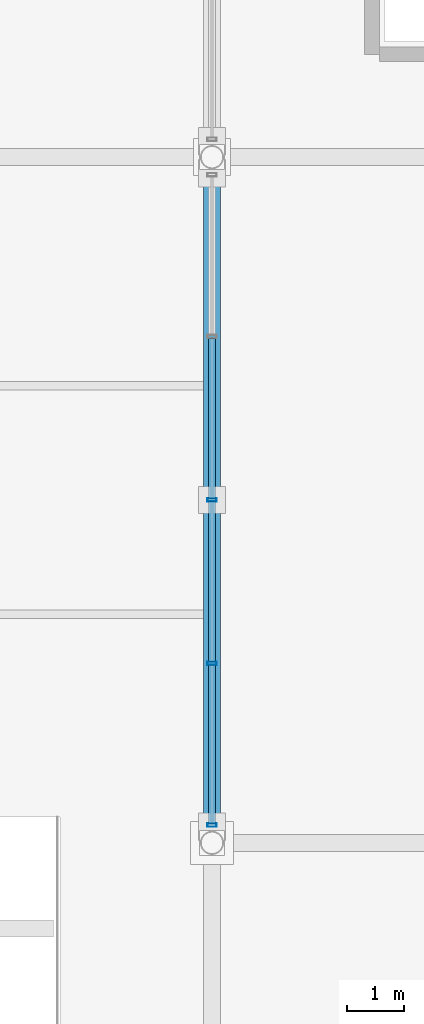
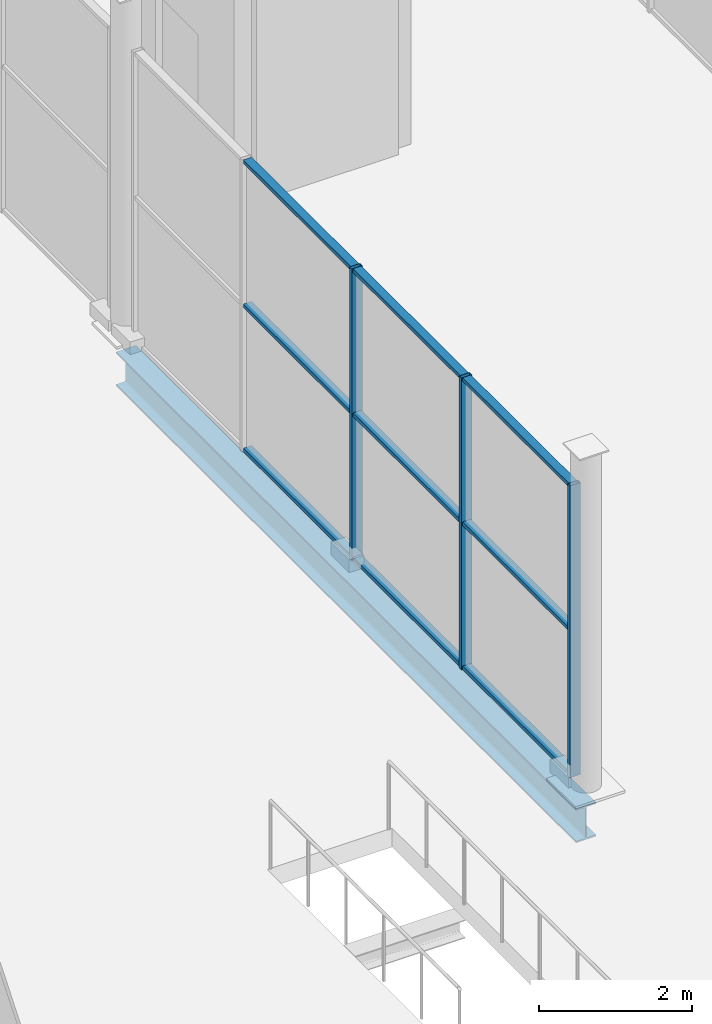
# One storey, part 114 of 196: 12 members, 1 beam, 1 element without a shape of its own.
"""IFC4 building model written with IfcOpenShell, lengths in metres."""

import ifcopenshell
import ifcopenshell.guid

model = None  # the IFC model being written
_history = None  # IfcOwnerHistory: only IFC2X3 demands one
_inside = {}  # id of a spatial element -> (the spatial element, [elements in it])
_under = {}  # id of a project, library or spatial element -> (it, [spatial elements below it])
_declared = {}  # id of a project -> (the project, [libraries it declares])
_typed = {}  # id of a type object -> (the type object, [elements of that type])
_made_of = {}  # id of a material, layer set ... -> (it, [elements and type objects made of it])


def new_model(schema):
    """Start an empty IFC model of exactly this schema.

    Asked for "IFC4X3", IfcOpenShell would pick the latest addendum, in which some entities
    have other attributes; the version numbers below select the first issue.
    IFC2X3 requires an IfcOwnerHistory on every rooted entity: one is made here for all.
    """
    global model, _history
    if schema == "IFC4X3":
        model = ifcopenshell.file(schema_version=(4, 3, 0, 0))
    else:
        model = ifcopenshell.file(schema=schema)
    _inside.clear()
    _under.clear()
    _declared.clear()
    _typed.clear()
    _made_of.clear()
    _history = None
    if model.schema == "IFC2X3":
        org = make("IfcOrganization", Name="unknown")
        user = make(
            "IfcPersonAndOrganization",
            ThePerson=make("IfcPerson", FamilyName="unknown"),
            TheOrganization=org,
        )
        app = make(
            "IfcApplication",
            ApplicationDeveloper=org,
            Version="unknown",
            ApplicationFullName="unknown",
            ApplicationIdentifier="unknown",
        )
        _history = make(
            "IfcOwnerHistory",
            OwningUser=user,
            OwningApplication=app,
            ChangeAction="ADDED",
            CreationDate=0,
        )
    return model


def make(cls, **values):
    """One entity of the class cls with the attributes given. An attribute that is None is left unset."""
    return model.create_entity(
        cls, **{name: value for name, value in values.items() if value is not None}
    )


def rooted(cls, **values):
    """An entity with a GlobalId (a new one), such as an element, a storey or a relation."""
    return make(cls, GlobalId=ifcopenshell.guid.new(), OwnerHistory=_history, **values)


def si_unit(unit_type, name, prefix=None):
    """IfcSIUnit, for example si_unit("LENGTHUNIT", "METRE", prefix="MILLI")."""
    return make("IfcSIUnit", UnitType=unit_type, Prefix=prefix, Name=name)


def assignment(units):
    """IfcUnitAssignment: the units of a project."""
    return None if units is None else make("IfcUnitAssignment", Units=units)


def point(xyz):
    """IfcCartesianPoint."""
    return None if xyz is None else make("IfcCartesianPoint", Coordinates=xyz)


def direction(xyz):
    """IfcDirection."""
    return None if xyz is None else make("IfcDirection", DirectionRatios=xyz)


def frame(location, z_axis=None, x_axis=None):
    """IfcAxis2Placement3D, a coordinate frame: its origin and axes. An axis left out is left unset."""
    return make(
        "IfcAxis2Placement3D",
        Location=point(location),
        Axis=direction(z_axis),
        RefDirection=direction(x_axis),
    )


def frame_2d(location, x_axis=None):
    """IfcAxis2Placement2D, a coordinate frame in the plane: its origin and x axis."""
    return make(
        "IfcAxis2Placement2D", Location=point(location), RefDirection=direction(x_axis)
    )


def origin():
    """The frame at (0, 0, 0) with its axes left unset."""
    return frame((0.0, 0.0, 0.0))


def origin_2d():
    """The frame at (0, 0) in the plane with its x axis left unset."""
    return frame_2d((0.0, 0.0))


def place(relative_to, where):
    """IfcLocalPlacement: puts the frame where relative to a parent placement (None: the world)."""
    return make(
        "IfcLocalPlacement", PlacementRelTo=relative_to, RelativePlacement=where
    )


def context(
    kind, dimensions, precision=None, world=None, true_north=None, identifier=None
):
    """IfcGeometricRepresentationContext, for example the 3D "Model" context."""
    return make(
        "IfcGeometricRepresentationContext",
        ContextIdentifier=identifier,
        ContextType=kind,
        CoordinateSpaceDimension=dimensions,
        Precision=precision,
        WorldCoordinateSystem=world,
        TrueNorth=true_north,
    )


def subcontext(parent, identifier, kind, view, scale=None):
    """IfcGeometricRepresentationSubContext, for example "Body" below "Model"."""
    return make(
        "IfcGeometricRepresentationSubContext",
        ContextIdentifier=identifier,
        ContextType=kind,
        ParentContext=parent,
        TargetScale=scale,
        TargetView=view,
    )


def project(units=None, contexts=None):
    """IfcProject with its units and contexts."""
    return rooted(
        "IfcProject",
        Name="project",
        RepresentationContexts=contexts,
        UnitsInContext=assignment(units),
    )


def spatial(cls, under=None, at=None, **own):
    """A site, building, storey or space (cls), placed at a placement, below another one or the project."""
    s = rooted(cls, ObjectPlacement=at, **own)
    if under is not None:
        _under.setdefault(under.id(), (under, []))[1].append(s)
    return s


def profile(cls, at=None, kind="AREA", **sizes):
    """A parametric profile (cls). Its sizes go by their IFC names, for example OverallWidth=200.0."""
    return make(cls, ProfileType=kind, Position=at, **sizes)


def hollow_rectangle(**sizes):
    """IfcRectangleHollowProfileDef."""
    return profile("IfcRectangleHollowProfileDef", **sizes)


def i_section(**sizes):
    """IfcIShapeProfileDef."""
    return profile("IfcIShapeProfileDef", **sizes)


def extrude(swept, where, along, depth):
    """IfcExtrudedAreaSolid: the profile swept, set in the frame where, extruded along a direction by depth."""
    return make(
        "IfcExtrudedAreaSolid",
        SweptArea=swept,
        Position=where,
        ExtrudedDirection=direction(along),
        Depth=depth,
    )


def shape(context_of_items, identifier, shape_type, items):
    """IfcShapeRepresentation: the items that make up one representation, for example the "Body"."""
    return make(
        "IfcShapeRepresentation",
        ContextOfItems=context_of_items,
        RepresentationIdentifier=identifier,
        RepresentationType=shape_type,
        Items=items,
    )


def material(Name=None, Category=None):
    """IfcMaterial."""
    return make("IfcMaterial", Name=Name, Category=Category)


def material_profile(
    of_material, cross_section, Name=None, Category=None, Priority=None
):
    """IfcMaterialProfile: a cross section and its material."""
    return make(
        "IfcMaterialProfile",
        Name=Name,
        Material=of_material,
        Profile=cross_section,
        Priority=Priority,
        Category=Category,
    )


def profile_set(profiles, Name=None, composite=None):
    """IfcMaterialProfileSet."""
    return make(
        "IfcMaterialProfileSet",
        Name=Name,
        MaterialProfiles=profiles,
        CompositeProfile=composite,
    )


def made_of(thing, what):
    """Note that an element or type object is made of a material, layer set ...; save() writes the relation."""
    if what is not None:
        _made_of.setdefault(what.id(), (what, []))[1].append(thing)
    return thing


def type_object(cls, material=None, **own):
    """A type object (cls), such as IfcWallType, which elements share."""
    return made_of(rooted(cls, **own), material)


def element(
    cls,
    number,
    at=None,
    inside=None,
    cuts=None,
    type_object=None,
    material=None,
    context=None,
    identifier="Body",
    shape_type=None,
    held_by="IfcProductDefinitionShape",
    body=None,
    shapes=None,
    **own,
):
    """One element of the class cls, such as IfcWall. Its Tag is "e" and its number.

    at: its placement. inside: the storey or other place that contains it. cuts: it is an
    opening in that element (IfcRelVoidsElement). A single representation is given by context,
    identifier, shape_type and body (its items); several are given by shapes. held_by: the class
    of the entity that holds the representations. save() writes the other relations.
    """
    e = rooted(cls, Tag="e%d" % number, ObjectPlacement=at, **own)
    if body is not None:
        shapes = [shape(context, identifier, shape_type, body)]
    if shapes is not None:
        e.Representation = make(held_by, Representations=shapes)
    if inside is not None:
        _inside.setdefault(inside.id(), (inside, []))[1].append(e)
    if cuts is not None:
        rooted(
            "IfcRelVoidsElement", RelatingBuildingElement=cuts, RelatedOpeningElement=e
        )
    if type_object is not None:
        _typed.setdefault(type_object.id(), (type_object, []))[1].append(e)
    return made_of(e, material)


def aggregate(whole, parts):
    """IfcRelAggregates: a whole, such as a stair, and the parts it consists of."""
    return rooted("IfcRelAggregates", RelatingObject=whole, RelatedObjects=parts)


def save(model, path):
    """Write the relations noted so far, then the file.

    IfcRelAggregates (storeys below a building ...), IfcRelContainedInSpatialStructure (elements
    in a storey), IfcRelDefinesByType, IfcRelAssociatesMaterial and IfcRelDeclares: one each for
    every whole, place, type object, material and project.
    """
    for whole, parts in _under.values():
        aggregate(whole, parts)
    for where, things in _inside.values():
        rooted(
            "IfcRelContainedInSpatialStructure",
            RelatedElements=things,
            RelatingStructure=where,
        )
    for kind, things in _typed.values():
        rooted("IfcRelDefinesByType", RelatedObjects=things, RelatingType=kind)
    for what, things in _made_of.values():
        rooted("IfcRelAssociatesMaterial", RelatedObjects=things, RelatingMaterial=what)
    for by, libraries in _declared.values():
        rooted("IfcRelDeclares", RelatingContext=by, RelatedDefinitions=libraries)
    model.write(path)


model = new_model("IFC4")

# Units and contexts
model_context = context("Model", 3, precision=1e-05, world=origin(), true_north=direction((0.0, 1.0)))
body_context = subcontext(model_context, "Body", "Model", "MODEL_VIEW")
ifc_project = project(units=[si_unit("LENGTHUNIT", "METRE"), si_unit("AREAUNIT", "SQUARE_METRE"), si_unit("VOLUMEUNIT", "CUBIC_METRE"), si_unit("PLANEANGLEUNIT", "RADIAN"), si_unit("MASSUNIT", "GRAM", prefix="KILO")], contexts=[model_context])

# Site, building, storey
site_placement = place(None, origin())
site = spatial("IfcSite", under=ifc_project, at=site_placement, CompositionType="ELEMENT")
building_placement = place(site_placement, origin())
building = spatial("IfcBuilding", under=site, at=building_placement, Name="Merenkruunu Market Hall", CompositionType="ELEMENT")
storey_placement = place(building_placement, origin())
storey = spatial("IfcBuildingStorey", under=building, at=storey_placement, Name="L00", CompositionType="ELEMENT", Elevation=0.0)

# Curtain wall, members
ifc_material_1 = material(Name="Powder-coated aluminium", Category="aluminium")
curtain_wall_type = type_object("IfcCurtainWallType", Name="Glazed Curtain Wall CW15", PredefinedType="USERDEFINED", material=ifc_material_1)
curtain_wall_placement = place(storey_placement, origin())
curtain_wall = element("IfcCurtainWall", 1, at=curtain_wall_placement, inside=storey, type_object=curtain_wall_type, Name="CW-L00-CWM01-174", ObjectType="GLAZED_FACADE", PredefinedType="USERDEFINED")
ifc_material_profile_1 = material_profile(ifc_material_1, hollow_rectangle(XDim=0.06005859375, YDim=0.159912109375, WallThickness=0.00390625, at=origin_2d()), Name="ALU 60x160x4")
ifc_profile_set_1 = profile_set([ifc_material_profile_1], Name="Powder-coated aluminium")
member_type_1 = type_object("IfcMemberType", Name="Curtain Wall Mullion CWM01", PredefinedType="MULLION", material=ifc_profile_set_1)
member_1_placement = place(storey_placement, frame((67.199951171875, 63.909912109375, 0.0), z_axis=(0.0, 0.0, 1.0), x_axis=(0.0, 1.0, 0.0)))
member_1 = element("IfcMember", 2, at=member_1_placement, type_object=member_type_1, Name="CW15 mullion 1", PredefinedType="MULLION", context=body_context, shape_type="SweptSolid", body=[
    extrude(hollow_rectangle(XDim=0.06005859375, YDim=0.159912109375, WallThickness=0.00390625, at=origin_2d()), origin(), (0.0, 0.0, 1.0), 4.64990234375),
])
member_2_placement = place(storey_placement, frame((67.199951171875, 66.739990234375, 0.0), z_axis=(0.0, 0.0, 1.0), x_axis=(0.0, 1.0, 0.0)))
member_2 = element("IfcMember", 3, at=member_2_placement, type_object=member_type_1, Name="CW15 mullion 2", PredefinedType="MULLION", context=body_context, shape_type="SweptSolid", body=[
    extrude(hollow_rectangle(XDim=0.06005859375, YDim=0.159912109375, WallThickness=0.00390625, at=origin_2d()), origin(), (0.0, 0.0, 1.0), 4.64990234375),
])
member_3_placement = place(storey_placement, frame((67.199951171875, 69.60009765625, 0.0), z_axis=(0.0, 0.0, 1.0), x_axis=(0.0, 1.0, 0.0)))
member_3 = element("IfcMember", 4, at=member_3_placement, type_object=member_type_1, Name="CW15 mullion 3", PredefinedType="MULLION", context=body_context, shape_type="SweptSolid", body=[
    extrude(hollow_rectangle(XDim=0.06005859375, YDim=0.159912109375, WallThickness=0.00390625, at=origin_2d()), origin(), (0.0, 0.0, 1.0), 4.64990234375),
])
ifc_material_profile_2 = material_profile(ifc_material_1, hollow_rectangle(XDim=0.06005859375, YDim=0.125, WallThickness=0.00390625, at=origin_2d()), Name="ALU 60x125x4")
ifc_profile_set_2 = profile_set([ifc_material_profile_2], Name="Powder-coated aluminium")
member_type_2 = type_object("IfcMemberType", Name="Curtain Wall Transom CWT01", PredefinedType="USERDEFINED", material=ifc_profile_set_2)
member_4_placement = place(storey_placement, frame((67.199951171875, 63.93994140625, 0.030029296875), z_axis=(0.0, 1.0, 0.0), x_axis=(0.0, 0.0, 1.0)))
member_4 = element("IfcMember", 5, at=member_4_placement, type_object=member_type_2, Name="CW15 transom 1.1", ObjectType="TRANSOM", PredefinedType="USERDEFINED", context=body_context, shape_type="SweptSolid", body=[
    extrude(hollow_rectangle(XDim=0.06005859375, YDim=0.125, WallThickness=0.00390625, at=origin_2d()), origin(), (0.0, 0.0, 1.0), 2.77001953125),
])
member_5_placement = place(storey_placement, frame((67.199951171875, 63.93994140625, 2.324951171875), z_axis=(0.0, 1.0, 0.0), x_axis=(0.0, 0.0, 1.0)))
member_5 = element("IfcMember", 6, at=member_5_placement, type_object=member_type_2, Name="CW15 transom 1.2", ObjectType="TRANSOM", PredefinedType="USERDEFINED", context=body_context, shape_type="SweptSolid", body=[
    extrude(hollow_rectangle(XDim=0.06005859375, YDim=0.125, WallThickness=0.00390625, at=origin_2d()), origin(), (0.0, 0.0, 1.0), 2.77001953125),
])
member_6_placement = place(storey_placement, frame((67.199951171875, 63.93994140625, 4.6201171875), z_axis=(0.0, 1.0, 0.0), x_axis=(0.0, 0.0, 1.0)))
member_6 = element("IfcMember", 7, at=member_6_placement, type_object=member_type_2, Name="CW15 transom 1.3", ObjectType="TRANSOM", PredefinedType="USERDEFINED", context=body_context, shape_type="SweptSolid", body=[
    extrude(hollow_rectangle(XDim=0.06005859375, YDim=0.125, WallThickness=0.00390625, at=origin_2d()), origin(), (0.0, 0.0, 1.0), 2.77001953125),
])
member_7_placement = place(storey_placement, frame((67.199951171875, 66.77001953125, 0.030029296875), z_axis=(0.0, 1.0, 0.0), x_axis=(0.0, 0.0, 1.0)))
member_7 = element("IfcMember", 8, at=member_7_placement, type_object=member_type_2, Name="CW15 transom 2.1", ObjectType="TRANSOM", PredefinedType="USERDEFINED", context=body_context, shape_type="SweptSolid", body=[
    extrude(hollow_rectangle(XDim=0.06005859375, YDim=0.125, WallThickness=0.00390625, at=origin_2d()), origin(), (0.0, 0.0, 1.0), 2.800048828125),
])
member_8_placement = place(storey_placement, frame((67.199951171875, 66.77001953125, 2.324951171875), z_axis=(0.0, 1.0, 0.0), x_axis=(0.0, 0.0, 1.0)))
member_8 = element("IfcMember", 9, at=member_8_placement, type_object=member_type_2, Name="CW15 transom 2.2", ObjectType="TRANSOM", PredefinedType="USERDEFINED", context=body_context, shape_type="SweptSolid", body=[
    extrude(hollow_rectangle(XDim=0.06005859375, YDim=0.125, WallThickness=0.00390625, at=origin_2d()), origin(), (0.0, 0.0, 1.0), 2.800048828125),
])
member_9_placement = place(storey_placement, frame((67.199951171875, 66.77001953125, 4.6201171875), z_axis=(0.0, 1.0, 0.0), x_axis=(0.0, 0.0, 1.0)))
member_9 = element("IfcMember", 10, at=member_9_placement, type_object=member_type_2, Name="CW15 transom 2.3", ObjectType="TRANSOM", PredefinedType="USERDEFINED", context=body_context, shape_type="SweptSolid", body=[
    extrude(hollow_rectangle(XDim=0.06005859375, YDim=0.125, WallThickness=0.00390625, at=origin_2d()), origin(), (0.0, 0.0, 1.0), 2.800048828125),
])
member_10_placement = place(storey_placement, frame((67.199951171875, 69.6298828125, 0.030029296875), z_axis=(0.0, 1.0, 0.0), x_axis=(0.0, 0.0, 1.0)))
member_10 = element("IfcMember", 11, at=member_10_placement, type_object=member_type_2, Name="CW15 transom 3.1", ObjectType="TRANSOM", PredefinedType="USERDEFINED", context=body_context, shape_type="SweptSolid", body=[
    extrude(hollow_rectangle(XDim=0.06005859375, YDim=0.125, WallThickness=0.00390625, at=origin_2d()), origin(), (0.0, 0.0, 1.0), 2.800048828125),
])
member_11_placement = place(storey_placement, frame((67.199951171875, 69.6298828125, 2.324951171875), z_axis=(0.0, 1.0, 0.0), x_axis=(0.0, 0.0, 1.0)))
member_11 = element("IfcMember", 12, at=member_11_placement, type_object=member_type_2, Name="CW15 transom 3.2", ObjectType="TRANSOM", PredefinedType="USERDEFINED", context=body_context, shape_type="SweptSolid", body=[
    extrude(hollow_rectangle(XDim=0.06005859375, YDim=0.125, WallThickness=0.00390625, at=origin_2d()), origin(), (0.0, 0.0, 1.0), 2.800048828125),
])
member_12_placement = place(storey_placement, frame((67.199951171875, 69.6298828125, 4.6201171875), z_axis=(0.0, 1.0, 0.0), x_axis=(0.0, 0.0, 1.0)))
member_12 = element("IfcMember", 13, at=member_12_placement, type_object=member_type_2, Name="CW15 transom 3.3", ObjectType="TRANSOM", PredefinedType="USERDEFINED", context=body_context, shape_type="SweptSolid", body=[
    extrude(hollow_rectangle(XDim=0.06005859375, YDim=0.125, WallThickness=0.00390625, at=origin_2d()), origin(), (0.0, 0.0, 1.0), 2.800048828125),
])
aggregate(curtain_wall, [member_1, member_2, member_3, member_4, member_5, member_6, member_7, member_8, member_9, member_10, member_11, member_12])

# Beam
ifc_material_2 = material(Name="Steel S355J2", Category="steel")
ifc_material_profile_3 = material_profile(ifc_material_2, i_section(OverallWidth=0.300048828125, OverallDepth=0.5400390625, WebThickness=0.012451171875, FlangeThickness=0.02392578125, FilletRadius=0.027099609375, at=origin_2d()), Name="HEA 550")
ifc_profile_set_3 = profile_set([ifc_material_profile_3], Name="Steel S355J2")
beam_type = type_object("IfcBeamType", Name="Primary Floor Girder B06", PredefinedType="BEAM", material=ifc_profile_set_3)
beam_placement = place(storey_placement, frame((67.199951171875, 63.60009765625, -0.570068359375), z_axis=(0.0, 1.0, 0.0), x_axis=(-1.0, 0.0, 0.0)))
element("IfcBeam", 14, at=beam_placement, inside=storey, type_object=beam_type, Name="BM-L00-B06-0199", PredefinedType="BEAM", context=body_context, shape_type="SweptSolid", body=[
    extrude(i_section(OverallWidth=0.300048828125, OverallDepth=0.5400390625, WebThickness=0.012451171875, FlangeThickness=0.02392578125, FilletRadius=0.027099609375, at=origin_2d()), origin(), (0.0, 0.0, 1.0), 12.0),
])

save(model, "model.ifc")
